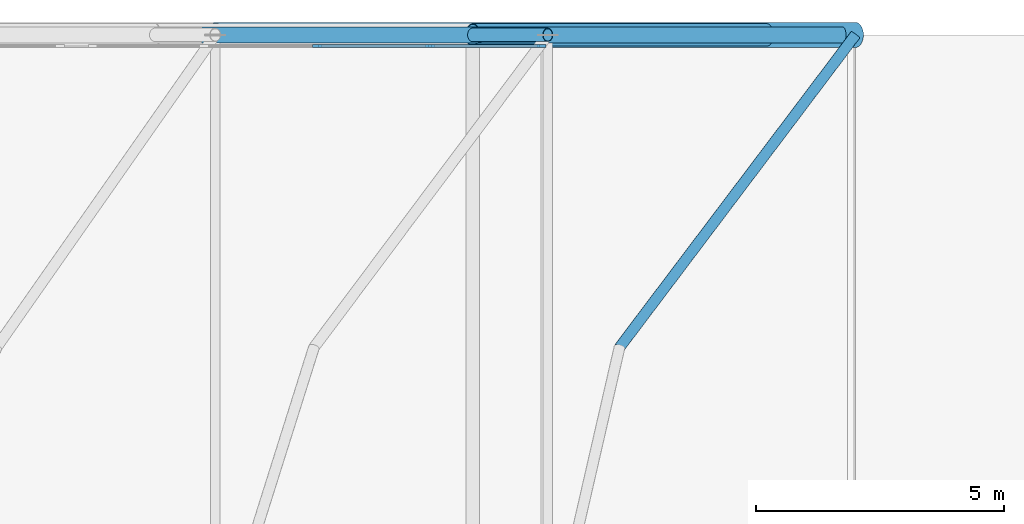
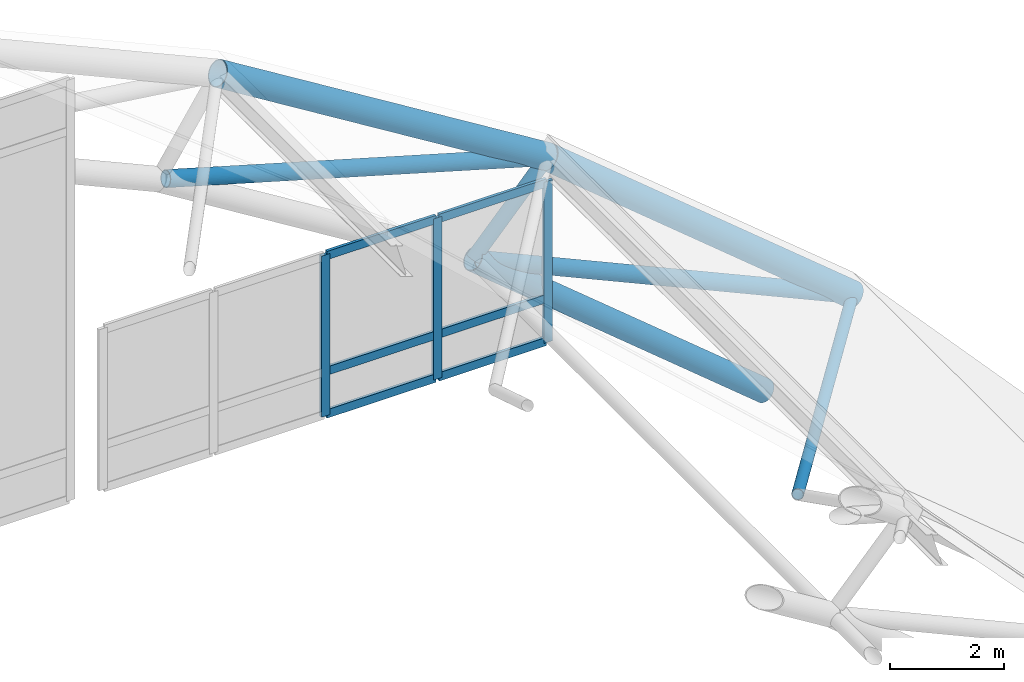
# One storey, part 22 of 42: 16 members, 1 element without a shape of its own.
"""IFC4 building model written with IfcOpenShell, lengths in metres."""

from ifc_helpers import new_model, si_unit, derived_unit, direction, frame, origin, origin_2d, place, context, subcontext, project, spatial, rectangle, hollow_circle, extrude, material, layer, layer_set, material_profile, profile_set, type_object, element, aggregate, save


model = new_model("IFC4")

# Units and contexts
model_context = context("Model", 3, precision=1e-05, world=origin(), true_north=direction((0.0, 1.0)))
body_context = subcontext(model_context, "Body", "Model", "MODEL_VIEW")
ifc_project = project(units=[si_unit("LENGTHUNIT", "METRE"), si_unit("AREAUNIT", "SQUARE_METRE"), si_unit("VOLUMEUNIT", "CUBIC_METRE"), si_unit("PLANEANGLEUNIT", "RADIAN"), si_unit("MASSUNIT", "GRAM", prefix="KILO"), derived_unit("THERMALTRANSMITTANCEUNIT", [(si_unit("MASSUNIT", "GRAM", prefix="KILO"), 1), (si_unit("TIMEUNIT", "SECOND"), -3), (si_unit("THERMODYNAMICTEMPERATUREUNIT", "KELVIN"), -1)])], contexts=[model_context])

# Site, building, storey
site_placement = place(None, origin())
site = spatial("IfcSite", under=ifc_project, at=site_placement, CompositionType="ELEMENT")
building_placement = place(site_placement, origin())
building = spatial("IfcBuilding", under=site, at=building_placement, Name="Valcora Ridge Arena", CompositionType="ELEMENT")
storey_placement = place(building_placement, frame((0.0, 0.0, 26.39990234375)))
storey = spatial("IfcBuildingStorey", under=building, at=storey_placement, Name="L05", CompositionType="ELEMENT", Elevation=26.39990234375)

# Curtain wall, members
ifc_material_1 = material(Name="Anodised dark bronze architectural aluminium 6063-T6", Category="aluminium")
ifc_layer = layer(ifc_material_1, 0.179931640625, Name="Anodised dark bronze architectural aluminium 6063-T6")
ifc_layer_set = layer_set([ifc_layer], Name="Anodised dark bronze architectural aluminium 6063-T6")
curtain_wall_type = type_object("IfcCurtainWallType", Name="TY-CURTAINWALL-CW-V1-TYMPN-091X35", PredefinedType="NOTDEFINED", material=ifc_layer_set)
curtain_wall_placement = place(storey_placement, origin())
curtain_wall = element("IfcCurtainWall", 1, at=curtain_wall_placement, inside=storey, type_object=curtain_wall_type, Name="CW-V1-TYMPN-091X35 CW-0179", PredefinedType="NOTDEFINED")
ifc_material_profile_1 = material_profile(ifc_material_1, rectangle(XDim=0.06005859375, YDim=0.179931640625, at=origin_2d()), Name="ALU MULLION 60x180")
ifc_profile_set_1 = profile_set([ifc_material_profile_1], Name="Anodised dark bronze architectural aluminium 6063-T6")
member_type_1 = type_object("IfcMemberType", Name="TY-MEM-CWM-60x180", PredefinedType="MULLION", material=ifc_profile_set_1)
member_1_placement = place(storey_placement, frame((84.64990234375, 107.97998046875, 0.0), z_axis=(0.0, 0.0, 1.0), x_axis=(0.0, 1.0, 0.0)))
member_1 = element("IfcMember", 2, at=member_1_placement, type_object=member_type_1, Name="CW-0179/CWM-60x180/M02", PredefinedType="MULLION", context=body_context, shape_type="SweptSolid", body=[
    extrude(rectangle(XDim=0.06005859375, YDim=0.179931640625, at=origin_2d()), origin(), (0.0, 0.0, 1.0), 3.461669921875),
])
member_2_placement = place(storey_placement, frame((86.925048828125, 107.97998046875, 0.0), z_axis=(0.0, 0.0, 1.0), x_axis=(0.0, 1.0, 0.0)))
member_2 = element("IfcMember", 3, at=member_2_placement, type_object=member_type_1, Name="CW-0179/CWM-60x180/M03", PredefinedType="MULLION", context=body_context, shape_type="SweptSolid", body=[
    extrude(rectangle(XDim=0.06005859375, YDim=0.179931640625, at=origin_2d()), origin(), (0.0, 0.0, 1.0), 3.461669921875),
])
member_3_placement = place(storey_placement, frame((89.169921875, 107.97998046875, 0.0), z_axis=(0.0, 0.0, 1.0), x_axis=(0.0, 1.0, 0.0)))
member_3 = element("IfcMember", 4, at=member_3_placement, type_object=member_type_1, Name="CW-0179/CWM-60x180/M04", PredefinedType="MULLION", context=body_context, shape_type="SweptSolid", body=[
    extrude(rectangle(XDim=0.06005859375, YDim=0.179931640625, at=origin_2d()), origin(), (0.0, 0.0, 1.0), 3.461669921875),
])
ifc_material_profile_2 = material_profile(ifc_material_1, rectangle(XDim=0.06005859375, YDim=0.179931640625, at=origin_2d()), Name="ALU TRANSOM 60x180")
ifc_profile_set_2 = profile_set([ifc_material_profile_2], Name="Anodised dark bronze architectural aluminium 6063-T6")
member_type_2 = type_object("IfcMemberType", Name="TY-MEM-CWT-60x180", PredefinedType="USERDEFINED", material=ifc_profile_set_2)
member_4_placement = place(storey_placement, frame((84.679931640625, 107.97998046875, 0.030029296875), z_axis=(1.0, 0.0, 0.0), x_axis=(0.0, 1.0, 0.0)))
member_4 = element("IfcMember", 5, at=member_4_placement, type_object=member_type_2, Name="CW-0179/CWT-60x180/T02-00", ObjectType="TRANSOM", PredefinedType="USERDEFINED", context=body_context, shape_type="SweptSolid", body=[
    extrude(rectangle(XDim=0.06005859375, YDim=0.179931640625, at=origin_2d()), origin(), (0.0, 0.0, 1.0), 2.215087890625),
])
member_5_placement = place(storey_placement, frame((84.679931640625, 107.97998046875, 0.9501953125), z_axis=(1.0, 0.0, 0.0), x_axis=(0.0, 1.0, 0.0)))
member_5 = element("IfcMember", 6, at=member_5_placement, type_object=member_type_2, Name="CW-0179/CWT-60x180/T02-01", ObjectType="TRANSOM", PredefinedType="USERDEFINED", context=body_context, shape_type="SweptSolid", body=[
    extrude(rectangle(XDim=0.06005859375, YDim=0.179931640625, at=origin_2d()), origin(), (0.0, 0.0, 1.0), 2.215087890625),
])
member_6_placement = place(storey_placement, frame((84.679931640625, 107.97998046875, 3.431640625), z_axis=(1.0, 0.0, 0.0), x_axis=(0.0, 1.0, 0.0)))
member_6 = element("IfcMember", 7, at=member_6_placement, type_object=member_type_2, Name="CW-0179/CWT-60x180/T02-02", ObjectType="TRANSOM", PredefinedType="USERDEFINED", context=body_context, shape_type="SweptSolid", body=[
    extrude(rectangle(XDim=0.06005859375, YDim=0.179931640625, at=origin_2d()), origin(), (0.0, 0.0, 1.0), 2.215087890625),
])
member_7_placement = place(storey_placement, frame((86.955078125, 107.97998046875, 0.030029296875), z_axis=(1.0, 0.0, 0.0), x_axis=(0.0, 1.0, 0.0)))
member_7 = element("IfcMember", 8, at=member_7_placement, type_object=member_type_2, Name="CW-0179/CWT-60x180/T03-00", ObjectType="TRANSOM", PredefinedType="USERDEFINED", context=body_context, shape_type="SweptSolid", body=[
    extrude(rectangle(XDim=0.06005859375, YDim=0.179931640625, at=origin_2d()), origin(), (0.0, 0.0, 1.0), 2.184814453125),
])
member_8_placement = place(storey_placement, frame((86.955078125, 107.97998046875, 0.9501953125), z_axis=(1.0, 0.0, 0.0), x_axis=(0.0, 1.0, 0.0)))
member_8 = element("IfcMember", 9, at=member_8_placement, type_object=member_type_2, Name="CW-0179/CWT-60x180/T03-01", ObjectType="TRANSOM", PredefinedType="USERDEFINED", context=body_context, shape_type="SweptSolid", body=[
    extrude(rectangle(XDim=0.06005859375, YDim=0.179931640625, at=origin_2d()), origin(), (0.0, 0.0, 1.0), 2.184814453125),
])
member_9_placement = place(storey_placement, frame((86.955078125, 107.97998046875, 3.431640625), z_axis=(1.0, 0.0, 0.0), x_axis=(0.0, 1.0, 0.0)))
member_9 = element("IfcMember", 10, at=member_9_placement, type_object=member_type_2, Name="CW-0179/CWT-60x180/T03-02", ObjectType="TRANSOM", PredefinedType="USERDEFINED", context=body_context, shape_type="SweptSolid", body=[
    extrude(rectangle(XDim=0.06005859375, YDim=0.179931640625, at=origin_2d()), origin(), (0.0, 0.0, 1.0), 2.184814453125),
])
aggregate(curtain_wall, [member_1, member_2, member_3, member_4, member_5, member_6, member_7, member_8, member_9])

# Members
ifc_material_2 = material(Name="Steel ASTM A500 Grade C", Category="steel")
ifc_material_profile_3 = material_profile(ifc_material_2, hollow_circle(Radius=0.228515625, WallThickness=0.01611328125, at=origin_2d()), Name="CHS457X16")
ifc_profile_set_3 = profile_set([ifc_material_profile_3], Name="Steel ASTM A500 Grade C")
member_type_3 = type_object("IfcMemberType", Name="TY-MEMBER-SFBC-457", PredefinedType="CHORD", material=ifc_profile_set_3)
member_10_placement = place(storey_placement, frame((87.78564453125, 108.199951171875, 2.126708984375), z_axis=(0.770105368474, 0.0, -0.637916704161), x_axis=(0.0, 1.0, 0.0)))
element("IfcMember", 11, at=member_10_placement, inside=storey, type_object=member_type_3, Name="SFBC-457 Space Frame Bottom Chord", PredefinedType="CHORD", context=body_context, shape_type="SweptSolid", body=[
    extrude(hollow_circle(Radius=0.228515625, WallThickness=0.01611328125, at=origin_2d()), origin(), (0.0, 0.0, 1.0), 7.686767578125),
])
ifc_material_profile_4 = material_profile(ifc_material_2, hollow_circle(Radius=0.136474609375, WallThickness=0.012451171875, at=origin_2d()), Name="CHS273X12")
ifc_profile_set_4 = profile_set([ifc_material_profile_4], Name="Steel ASTM A500 Grade C")
member_type_4 = type_object("IfcMemberType", Name="TY-MEMBER-SFKP-273", PredefinedType="POST", material=ifc_profile_set_4)
member_11_placement = place(storey_placement, frame((87.78564453125, 108.199951171875, 2.126708984375), z_axis=(0.673229018622, 0.0, 0.739434032544), x_axis=(0.0, 1.0, 0.0)))
element("IfcMember", 12, at=member_11_placement, inside=storey, type_object=member_type_4, Name="SFKP-273 Space Frame King Post", PredefinedType="POST", context=body_context, shape_type="SweptSolid", body=[
    extrude(hollow_circle(Radius=0.136474609375, WallThickness=0.012451171875, at=origin_2d()), origin(), (0.0, 0.0, 1.0), 2.24951171875),
])
ifc_material_profile_5 = material_profile(ifc_material_2, hollow_circle(Radius=0.109619140625, WallThickness=0.010009765625, at=origin_2d()), Name="CHS219X10")
ifc_profile_set_5 = profile_set([ifc_material_profile_5], Name="Steel ASTM A500 Grade C")
member_type_5 = type_object("IfcMemberType", Name="TY-MEMBER-SFST-219", PredefinedType="STRUT", material=ifc_profile_set_5)
member_12_placement = place(storey_placement, frame((90.74560546875, 101.89990234375, -0.150390625), z_axis=(0.595586548239, 0.789211814589, -0.149737688209), x_axis=(-0.798211038929, 0.602377902426, 0.0)))
element("IfcMember", 13, at=member_12_placement, inside=storey, type_object=member_type_5, Name="SFST-219 Space Frame Tie Strut", PredefinedType="STRUT", context=body_context, shape_type="SweptSolid", body=[
    extrude(hollow_circle(Radius=0.109619140625, WallThickness=0.010009765625, at=origin_2d()), origin(), (0.0, 0.0, 1.0), 7.982666015625),
])
ifc_material_profile_6 = material_profile(ifc_material_2, hollow_circle(Radius=0.25390625, WallThickness=0.01611328125, at=origin_2d()), Name="CHS508X16")
ifc_profile_set_6 = profile_set([ifc_material_profile_6], Name="Steel ASTM A500 Grade C")
member_type_6 = type_object("IfcMemberType", Name="TY-MEMBER-SFTC-508", PredefinedType="CHORD", material=ifc_profile_set_6)
member_13_placement = place(storey_placement, frame((82.60009765625, 108.199951171875, 7.927490234375), z_axis=(0.850840802089, 0.0, -0.525423571512), x_axis=(0.0, 1.0, 0.0)))
element("IfcMember", 14, at=member_13_placement, inside=storey, type_object=member_type_6, Name="SFTC-508 Space Frame Top Chord", PredefinedType="CHORD", context=body_context, shape_type="SweptSolid", body=[
    extrude(hollow_circle(Radius=0.25390625, WallThickness=0.01611328125, at=origin_2d()), origin(), (0.0, 0.0, 1.0), 7.87451171875),
])
member_14_placement = place(storey_placement, frame((89.300048828125, 108.199951171875, 3.7900390625), z_axis=(0.770104559296, 0.0, -0.637917681014), x_axis=(0.0, 1.0, 0.0)))
element("IfcMember", 15, at=member_14_placement, inside=storey, type_object=member_type_6, Name="SFTC-508 Space Frame Top Chord", PredefinedType="CHORD", context=body_context, shape_type="SweptSolid", body=[
    extrude(hollow_circle(Radius=0.25390625, WallThickness=0.01611328125, at=origin_2d()), origin(), (0.0, 0.0, 1.0), 8.05078125),
])
ifc_material_profile_7 = material_profile(ifc_material_2, hollow_circle(Radius=0.161865234375, WallThickness=0.012451171875, at=origin_2d()), Name="CHS323X12")
ifc_profile_set_7 = profile_set([ifc_material_profile_7], Name="Steel ASTM A500 Grade C")
member_type_7 = type_object("IfcMemberType", Name="TY-MEMBER-SFWB-323", PredefinedType="BRACE", material=ifc_profile_set_7)
member_15_placement = place(storey_placement, frame((81.542236328125, 108.199951171875, 6.03271484375), z_axis=(0.960667219721, 0.0, -0.277702165915), x_axis=(0.0, 1.0, 0.0)))
element("IfcMember", 16, at=member_15_placement, inside=storey, type_object=member_type_7, Name="SFWB-323 Space Frame Diagonal Brace", PredefinedType="BRACE", context=body_context, shape_type="SweptSolid", body=[
    extrude(hollow_circle(Radius=0.161865234375, WallThickness=0.012451171875, at=origin_2d()), origin(), (0.0, 0.0, 1.0), 7.79541015625),
])
member_16_placement = place(storey_placement, frame((87.931396484375, 108.199951171875, 2.060791015625), z_axis=(0.911895871197, 0.0, -0.410421636971), x_axis=(0.0, 1.0, 0.0)))
element("IfcMember", 17, at=member_16_placement, inside=storey, type_object=member_type_7, Name="SFWB-323 Space Frame Diagonal Brace", PredefinedType="BRACE", context=body_context, shape_type="SweptSolid", body=[
    extrude(hollow_circle(Radius=0.161865234375, WallThickness=0.012451171875, at=origin_2d()), origin(), (0.0, 0.0, 1.0), 8.019775390625),
])

save(model, "model.ifc")
